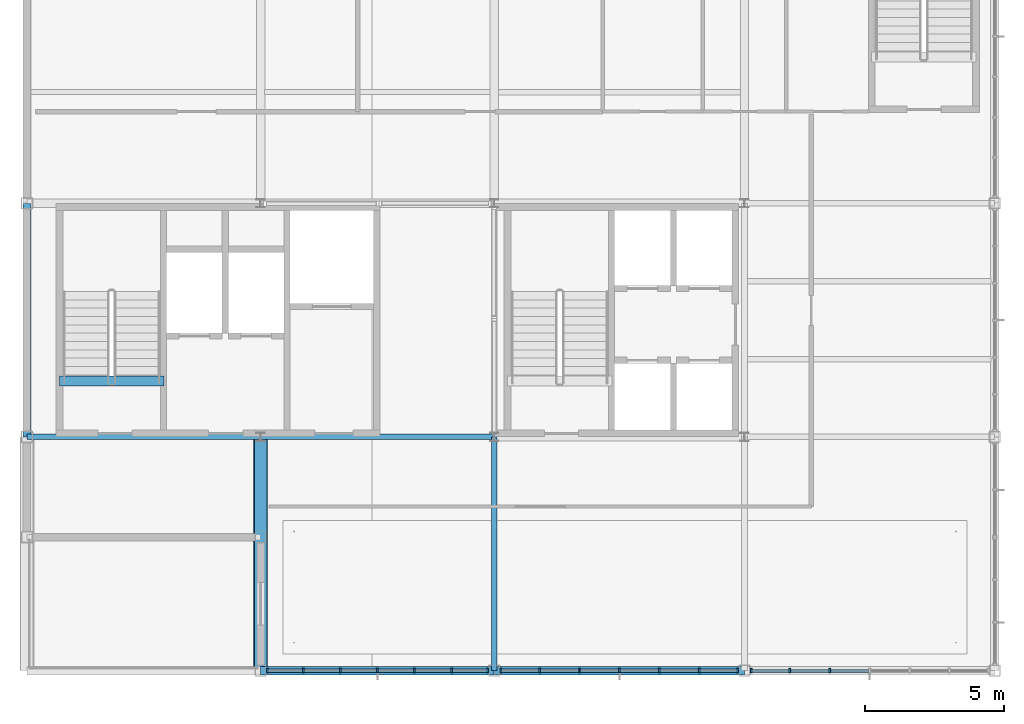
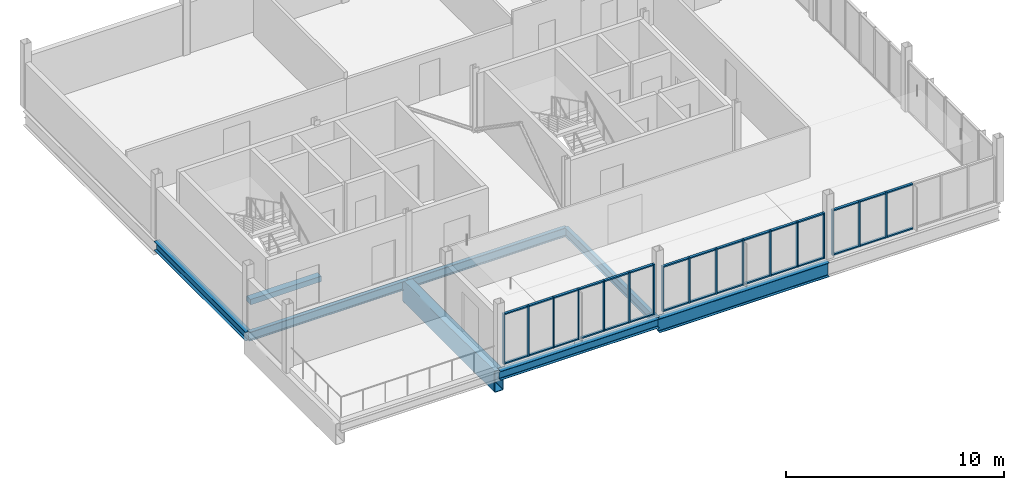
# One storey, part 4 of 17: 47 members, 8 beams, 3 elements without a shape of their own.
"""IFC4 building model written with IfcOpenShell, lengths in metres."""

from ifc_helpers import new_model, si_unit, direction, frame, origin, origin_2d, place, context, subcontext, project, spatial, rectangle, hollow_rectangle, i_section, extrude, material, layer, layer_set, material_profile, profile_set, type_object, element, aggregate, save


model = new_model("IFC4")

# Units and contexts
model_context = context("Model", 3, precision=1e-05, world=origin(), true_north=direction((0.0, 1.0)))
body_context = subcontext(model_context, "Body", "Model", "MODEL_VIEW")
ifc_project = project(units=[si_unit("LENGTHUNIT", "METRE"), si_unit("AREAUNIT", "SQUARE_METRE"), si_unit("VOLUMEUNIT", "CUBIC_METRE"), si_unit("PLANEANGLEUNIT", "RADIAN"), si_unit("MASSUNIT", "GRAM", prefix="KILO")], contexts=[model_context])

# Site, building, storey
site_placement = place(None, origin())
site = spatial("IfcSite", under=ifc_project, at=site_placement, CompositionType="ELEMENT")
building_placement = place(site_placement, origin())
building = spatial("IfcBuilding", under=site, at=building_placement, Name="Yukiwa Park Conservatory and Herbarium", CompositionType="ELEMENT")
storey_placement = place(building_placement, frame((0.0, 0.0, 57.60009765625)))
storey = spatial("IfcBuildingStorey", under=building, at=storey_placement, Name="L15", CompositionType="ELEMENT", Elevation=57.60009765625)

# Beams
ifc_material_1 = material(Name="Steel Q355D", Category="steel")
ifc_material_profile_1 = material_profile(ifc_material_1, i_section(OverallWidth=0.199951171875, OverallDepth=0.5, WebThickness=0.010009765625, FlangeThickness=0.01611328125, FilletRadius=0.02001953125, at=origin_2d()), Name="HN 500x200x10x16")
ifc_profile_set_1 = profile_set([ifc_material_profile_1], Name="Steel Q355D")
beam_type_1 = type_object("IfcBeamType", Name="BM-GRD-HN500", PredefinedType="BEAM", material=ifc_profile_set_1)
for number, where, z_axis, x_axis, name in (
    (1, (133.2060546875, 94.800048828125, -0.506103515625), (1.0, 0.0, 0.0), (0.0, 1.0, 0.0), "L15 grid beam X-6"),
    (2, (141.60595703125, 94.800048828125, -0.506103515625), (1.0, 0.0, 0.0), (0.0, 1.0, 0.0), "L15 grid beam X-7"),
    (3, (150.0, 86.406005859375, -0.506103515625), (0.0, 1.0, 0.0), (-1.0, 0.0, 0.0), "L15 grid girder Y-21"),
):
    element("IfcBeam", number, at=place(storey_placement, frame(where, z_axis=z_axis, x_axis=x_axis)), inside=storey, type_object=beam_type_1, Name=name, PredefinedType="BEAM", context=body_context, shape_type="SweptSolid", body=[
        extrude(i_section(OverallWidth=0.199951171875, OverallDepth=0.5, WebThickness=0.010009765625, FlangeThickness=0.01611328125, FilletRadius=0.02001953125, at=origin_2d()), origin(), (0.0, 0.0, 1.0), 8.387939453125),
    ])
ifc_material_2 = material(Name="Steel Q355D", Category="steel")
ifc_material_profile_2 = material_profile(ifc_material_2, i_section(OverallWidth=0.300048828125, OverallDepth=0.5, WebThickness=0.010986328125, FlangeThickness=0.01806640625, FilletRadius=0.02392578125, at=origin_2d()), Name="HM 500x300x11x18")
ifc_profile_set_2 = profile_set([ifc_material_profile_2], Name="Steel Q355D")
beam_type_2 = type_object("IfcBeamType", Name="BM-SPN-HN500", PredefinedType="SPANDREL", material=ifc_profile_set_2)
beam_1_placement = place(storey_placement, frame((141.60595703125, 86.39990234375, -0.506103515625), z_axis=(1.0, 0.0, 0.0), x_axis=(0.0, 1.0, 0.0)))
element("IfcBeam", 4, at=beam_1_placement, inside=storey, type_object=beam_type_2, Name="L15 spandrel beam X-2", PredefinedType="SPANDREL", context=body_context, shape_type="SweptSolid", body=[
    extrude(i_section(OverallWidth=0.300048828125, OverallDepth=0.5, WebThickness=0.010986328125, FlangeThickness=0.01806640625, FilletRadius=0.02392578125, at=origin_2d()), origin(), (0.0, 0.0, 1.0), 8.387939453125),
])
beam_2_placement = place(storey_placement, frame((133.199951171875, 94.805908203125, -0.506103515625), z_axis=(0.0, 1.0, 0.0), x_axis=(-1.0, 0.0, 0.0)))
element("IfcBeam", 5, at=beam_2_placement, inside=storey, type_object=beam_type_2, Name="L15 spandrel girder Y-18", PredefinedType="SPANDREL", context=body_context, shape_type="SweptSolid", body=[
    extrude(i_section(OverallWidth=0.300048828125, OverallDepth=0.5, WebThickness=0.010986328125, FlangeThickness=0.01806640625, FilletRadius=0.02392578125, at=origin_2d()), origin(), (0.0, 0.0, 1.0), 8.38818359375),
])
ifc_material_3 = material(Name="Steel Q355D", Category="steel")
ifc_material_profile_3 = material_profile(ifc_material_3, i_section(OverallWidth=0.300048828125, OverallDepth=0.7919921875, WebThickness=0.013916015625, FlangeThickness=0.02197265625, FilletRadius=0.028076171875, at=origin_2d()), Name="HN 792x300x14x22")
ifc_profile_set_3 = profile_set([ifc_material_profile_3], Name="Steel Q355D")
beam_type_3 = type_object("IfcBeamType", Name="BM-SPN-HN600", PredefinedType="SPANDREL", material=ifc_profile_set_3)
beam_3_placement = place(storey_placement, frame((150.006103515625, 86.39990234375, -0.652099609375), z_axis=(1.0, 0.0, 0.0), x_axis=(0.0, 1.0, 0.0)))
element("IfcBeam", 6, at=beam_3_placement, inside=storey, type_object=beam_type_3, Name="L15 spandrel beam X-3", PredefinedType="SPANDREL", context=body_context, shape_type="SweptSolid", body=[
    extrude(i_section(OverallWidth=0.300048828125, OverallDepth=0.7919921875, WebThickness=0.013916015625, FlangeThickness=0.02197265625, FilletRadius=0.028076171875, at=origin_2d()), origin(), (0.0, 0.0, 1.0), 8.98779296875),
])
ifc_material_4 = material(Name="Concrete C40", Category="concrete")
ifc_material_profile_4 = material_profile(ifc_material_4, rectangle(XDim=0.35009765625, YDim=0.300048828125, at=origin_2d()), Name="RC 350x300")
ifc_profile_set_4 = profile_set([ifc_material_profile_4], Name="Concrete C40")
beam_type_4 = type_object("IfcBeamType", Name="BM-STAIR-TRIM", PredefinedType="BEAM", material=ifc_profile_set_4)
beam_4_placement = place(storey_placement, frame((134.3701171875, 96.81005859375, -0.150146484375), z_axis=(1.0, 0.0, 0.0), x_axis=(0.0, 1.0, 0.0)))
element("IfcBeam", 7, at=beam_4_placement, inside=storey, type_object=beam_type_4, Name="Stair ST-T1 L15 landing trimmer beam", PredefinedType="BEAM", context=body_context, shape_type="SweptSolid", body=[
    extrude(rectangle(XDim=0.35009765625, YDim=0.300048828125, at=origin_2d()), origin(), (0.0, 0.0, 1.0), 3.75),
])
ifc_material_5 = material(Name="Steel Q355D", Category="steel")
ifc_material_profile_5 = material_profile(ifc_material_5, hollow_rectangle(XDim=0.5, YDim=1.199951171875, WallThickness=0.031982421875, InnerFilletRadius=0.031982421875, OuterFilletRadius=0.06396484375, at=origin_2d()), Name="BOX 1200x500x32")
ifc_profile_set_5 = profile_set([ifc_material_profile_5], Name="Steel Q355D")
beam_type_5 = type_object("IfcBeamType", Name="BM-TG2-1200", PredefinedType="BEAM", material=ifc_profile_set_5)
beam_5_placement = place(storey_placement, frame((141.60009765625, 86.406005859375, -0.856201171875), z_axis=(0.0, 1.0, 0.0), x_axis=(-1.0, 0.0, 0.0)))
element("IfcBeam", 8, at=beam_5_placement, inside=storey, type_object=beam_type_5, Name="Transfer girder TG-2.L15.2 at L15 observation terrace", PredefinedType="BEAM", context=body_context, shape_type="SweptSolid", body=[
    extrude(hollow_rectangle(XDim=0.5, YDim=1.199951171875, WallThickness=0.031982421875, InnerFilletRadius=0.031982421875, OuterFilletRadius=0.06396484375, at=origin_2d()), origin(), (0.0, 0.0, 1.0), 8.387939453125),
])

# Curtain wall, members
ifc_material_6 = material(Name="Triple Low-E Insulated Glass", Category="glass")
ifc_layer = layer(ifc_material_6, 0.2119140625)
ifc_layer_set = layer_set([ifc_layer], Name="Triple Low-E Insulated Glass")
curtain_wall_type = type_object("IfcCurtainWallType", Name="CW-TOWER-SKY-1400", PredefinedType="NOTDEFINED", material=ifc_layer_set)
curtain_wall_1_placement = place(storey_placement, origin())
curtain_wall_1 = element("IfcCurtainWall", 9, at=curtain_wall_1_placement, inside=storey, type_object=curtain_wall_type, Name="L15 unitised curtain wall CW-L15-145", PredefinedType="NOTDEFINED")
ifc_material_7 = material(Name="Anodised Aluminium", Category="aluminium")
member_type_1 = type_object("IfcMemberType", Name="MB-CW-MUL-70X150", PredefinedType="MULLION", material=ifc_material_7)
member_1_placement = place(storey_placement, frame((141.8349609375, 86.39990234375, -0.000244140625), z_axis=(0.0, 0.0, 1.0), x_axis=(1.0, 0.0, 0.0)))
member_1 = element("IfcMember", 10, at=member_1_placement, type_object=member_type_1, Name="CW-L15-145 mullion 1", PredefinedType="MULLION", context=body_context, shape_type="SweptSolid", body=[
    extrude(rectangle(XDim=0.070068359375, YDim=0.14990234375, at=origin_2d()), origin(), (0.0, 0.0, 1.0), 2.830078125),
])
member_2_placement = place(storey_placement, frame((143.13330078125, 86.39990234375, -0.000244140625), z_axis=(0.0, 0.0, 1.0), x_axis=(1.0, 0.0, 0.0)))
member_2 = element("IfcMember", 11, at=member_2_placement, type_object=member_type_1, Name="CW-L15-145 mullion 2", PredefinedType="MULLION", context=body_context, shape_type="SweptSolid", body=[
    extrude(rectangle(XDim=0.070068359375, YDim=0.14990234375, at=origin_2d()), origin(), (0.0, 0.0, 1.0), 2.830078125),
])
member_3_placement = place(storey_placement, frame((144.466796875, 86.39990234375, -0.000244140625), z_axis=(0.0, 0.0, 1.0), x_axis=(1.0, 0.0, 0.0)))
member_3 = element("IfcMember", 12, at=member_3_placement, type_object=member_type_1, Name="CW-L15-145 mullion 3", PredefinedType="MULLION", context=body_context, shape_type="SweptSolid", body=[
    extrude(rectangle(XDim=0.070068359375, YDim=0.14990234375, at=origin_2d()), origin(), (0.0, 0.0, 1.0), 2.830078125),
])
member_4_placement = place(storey_placement, frame((145.800048828125, 86.39990234375, -0.000244140625), z_axis=(0.0, 0.0, 1.0), x_axis=(1.0, 0.0, 0.0)))
member_4 = element("IfcMember", 13, at=member_4_placement, type_object=member_type_1, Name="CW-L15-145 mullion 4", PredefinedType="MULLION", context=body_context, shape_type="SweptSolid", body=[
    extrude(rectangle(XDim=0.070068359375, YDim=0.14990234375, at=origin_2d()), origin(), (0.0, 0.0, 1.0), 2.830078125),
])
member_5_placement = place(storey_placement, frame((147.13330078125, 86.39990234375, -0.000244140625), z_axis=(0.0, 0.0, 1.0), x_axis=(1.0, 0.0, 0.0)))
member_5 = element("IfcMember", 14, at=member_5_placement, type_object=member_type_1, Name="CW-L15-145 mullion 5", PredefinedType="MULLION", context=body_context, shape_type="SweptSolid", body=[
    extrude(rectangle(XDim=0.070068359375, YDim=0.14990234375, at=origin_2d()), origin(), (0.0, 0.0, 1.0), 2.830078125),
])
member_6_placement = place(storey_placement, frame((148.466796875, 86.39990234375, -0.000244140625), z_axis=(0.0, 0.0, 1.0), x_axis=(1.0, 0.0, 0.0)))
member_6 = element("IfcMember", 15, at=member_6_placement, type_object=member_type_1, Name="CW-L15-145 mullion 6", PredefinedType="MULLION", context=body_context, shape_type="SweptSolid", body=[
    extrude(rectangle(XDim=0.070068359375, YDim=0.14990234375, at=origin_2d()), origin(), (0.0, 0.0, 1.0), 2.830078125),
])
member_7_placement = place(storey_placement, frame((149.764892578125, 86.39990234375, -0.000244140625), z_axis=(0.0, 0.0, 1.0), x_axis=(1.0, 0.0, 0.0)))
member_7 = element("IfcMember", 16, at=member_7_placement, type_object=member_type_1, Name="CW-L15-145 mullion 7", PredefinedType="MULLION", context=body_context, shape_type="SweptSolid", body=[
    extrude(rectangle(XDim=0.070068359375, YDim=0.14990234375, at=origin_2d()), origin(), (0.0, 0.0, 1.0), 2.830078125),
])

curtain_wall_2_placement = place(storey_placement, origin())
curtain_wall_2 = element("IfcCurtainWall", 17, at=curtain_wall_2_placement, inside=storey, type_object=curtain_wall_type, Name="L15 unitised curtain wall CW-L15-146", PredefinedType="NOTDEFINED")
member_8_placement = place(storey_placement, frame((150.235107421875, 86.39990234375, -0.000244140625), z_axis=(0.0, 0.0, 1.0), x_axis=(1.0, 0.0, 0.0)))
member_8 = element("IfcMember", 18, at=member_8_placement, type_object=member_type_1, Name="CW-L15-146 mullion 1", PredefinedType="MULLION", context=body_context, shape_type="SweptSolid", body=[
    extrude(rectangle(XDim=0.070068359375, YDim=0.14990234375, at=origin_2d()), origin(), (0.0, 0.0, 1.0), 2.5380859375),
])
member_9_placement = place(storey_placement, frame((151.63330078125, 86.39990234375, -0.000244140625), z_axis=(0.0, 0.0, 1.0), x_axis=(1.0, 0.0, 0.0)))
member_9 = element("IfcMember", 19, at=member_9_placement, type_object=member_type_1, Name="CW-L15-146 mullion 2", PredefinedType="MULLION", context=body_context, shape_type="SweptSolid", body=[
    extrude(rectangle(XDim=0.070068359375, YDim=0.14990234375, at=origin_2d()), origin(), (0.0, 0.0, 1.0), 2.5380859375),
])
member_10_placement = place(storey_placement, frame((153.066650390625, 86.39990234375, -0.000244140625), z_axis=(0.0, 0.0, 1.0), x_axis=(1.0, 0.0, 0.0)))
member_10 = element("IfcMember", 20, at=member_10_placement, type_object=member_type_1, Name="CW-L15-146 mullion 3", PredefinedType="MULLION", context=body_context, shape_type="SweptSolid", body=[
    extrude(rectangle(XDim=0.070068359375, YDim=0.14990234375, at=origin_2d()), origin(), (0.0, 0.0, 1.0), 2.5380859375),
])
member_11_placement = place(storey_placement, frame((154.5, 86.39990234375, -0.000244140625), z_axis=(0.0, 0.0, 1.0), x_axis=(1.0, 0.0, 0.0)))
member_11 = element("IfcMember", 21, at=member_11_placement, type_object=member_type_1, Name="CW-L15-146 mullion 4", PredefinedType="MULLION", context=body_context, shape_type="SweptSolid", body=[
    extrude(rectangle(XDim=0.070068359375, YDim=0.14990234375, at=origin_2d()), origin(), (0.0, 0.0, 1.0), 2.5380859375),
])
member_12_placement = place(storey_placement, frame((155.933349609375, 86.39990234375, -0.000244140625), z_axis=(0.0, 0.0, 1.0), x_axis=(1.0, 0.0, 0.0)))
member_12 = element("IfcMember", 22, at=member_12_placement, type_object=member_type_1, Name="CW-L15-146 mullion 5", PredefinedType="MULLION", context=body_context, shape_type="SweptSolid", body=[
    extrude(rectangle(XDim=0.070068359375, YDim=0.14990234375, at=origin_2d()), origin(), (0.0, 0.0, 1.0), 2.5380859375),
])
member_13_placement = place(storey_placement, frame((157.36669921875, 86.39990234375, -0.000244140625), z_axis=(0.0, 0.0, 1.0), x_axis=(1.0, 0.0, 0.0)))
member_13 = element("IfcMember", 23, at=member_13_placement, type_object=member_type_1, Name="CW-L15-146 mullion 6", PredefinedType="MULLION", context=body_context, shape_type="SweptSolid", body=[
    extrude(rectangle(XDim=0.070068359375, YDim=0.14990234375, at=origin_2d()), origin(), (0.0, 0.0, 1.0), 2.5380859375),
])
member_14_placement = place(storey_placement, frame((158.764892578125, 86.39990234375, -0.000244140625), z_axis=(0.0, 0.0, 1.0), x_axis=(1.0, 0.0, 0.0)))
member_14 = element("IfcMember", 24, at=member_14_placement, type_object=member_type_1, Name="CW-L15-146 mullion 7", PredefinedType="MULLION", context=body_context, shape_type="SweptSolid", body=[
    extrude(rectangle(XDim=0.070068359375, YDim=0.14990234375, at=origin_2d()), origin(), (0.0, 0.0, 1.0), 2.5380859375),
])

curtain_wall_3_placement = place(storey_placement, origin())
curtain_wall_3 = element("IfcCurtainWall", 25, at=curtain_wall_3_placement, inside=storey, type_object=curtain_wall_type, Name="L15 unitised curtain wall CW-L15-147", PredefinedType="NOTDEFINED")
member_15_placement = place(storey_placement, frame((159.235107421875, 86.39990234375, -0.000244140625), z_axis=(0.0, 0.0, 1.0), x_axis=(1.0, 0.0, 0.0)))
member_15 = element("IfcMember", 26, at=member_15_placement, type_object=member_type_1, Name="CW-L15-147 mullion 1", PredefinedType="MULLION", context=body_context, shape_type="SweptSolid", body=[
    extrude(rectangle(XDim=0.070068359375, YDim=0.14990234375, at=origin_2d()), origin(), (0.0, 0.0, 1.0), 2.5380859375),
])
member_16_placement = place(storey_placement, frame((160.63330078125, 86.39990234375, -0.000244140625), z_axis=(0.0, 0.0, 1.0), x_axis=(1.0, 0.0, 0.0)))
member_16 = element("IfcMember", 27, at=member_16_placement, type_object=member_type_1, Name="CW-L15-147 mullion 2", PredefinedType="MULLION", context=body_context, shape_type="SweptSolid", body=[
    extrude(rectangle(XDim=0.070068359375, YDim=0.14990234375, at=origin_2d()), origin(), (0.0, 0.0, 1.0), 2.5380859375),
])
member_17_placement = place(storey_placement, frame((162.066650390625, 86.39990234375, -0.000244140625), z_axis=(0.0, 0.0, 1.0), x_axis=(1.0, 0.0, 0.0)))
member_17 = element("IfcMember", 28, at=member_17_placement, type_object=member_type_1, Name="CW-L15-147 mullion 3", PredefinedType="MULLION", context=body_context, shape_type="SweptSolid", body=[
    extrude(rectangle(XDim=0.070068359375, YDim=0.14990234375, at=origin_2d()), origin(), (0.0, 0.0, 1.0), 2.5380859375),
])

# Member
ifc_material_8 = material(Name="Anodised Aluminium", Category="aluminium")
member_type_2 = type_object("IfcMemberType", Name="MB-CW-TRN-70X130", PredefinedType="USERDEFINED", material=ifc_material_8)
member_18_placement = place(storey_placement, frame((142.466796875, 86.39990234375, 0.0), z_axis=(0.0, 0.0, 1.0), x_axis=(1.0, 0.0, 0.0)))
member_18 = element("IfcMember", 29, at=member_18_placement, type_object=member_type_2, Name="CW-L15-145 transom 1.1", ObjectType="TRANSOM", PredefinedType="USERDEFINED", context=body_context, shape_type="SweptSolid", body=[
    extrude(rectangle(XDim=1.26318359375, YDim=0.1298828125, at=origin_2d()), origin(), (0.0, 0.0, 1.0), 0.070068359375),
])

member_19_placement = place(storey_placement, frame((142.466796875, 86.39990234375, 2.759765625), z_axis=(0.0, 0.0, 1.0), x_axis=(1.0, 0.0, 0.0)))
member_19 = element("IfcMember", 30, at=member_19_placement, type_object=member_type_2, Name="CW-L15-145 transom 1.2", ObjectType="TRANSOM", PredefinedType="USERDEFINED", context=body_context, shape_type="SweptSolid", body=[
    extrude(rectangle(XDim=1.26318359375, YDim=0.1298828125, at=origin_2d()), origin(), (0.0, 0.0, 1.0), 0.070068359375),
])

member_20_placement = place(storey_placement, frame((143.800048828125, 86.39990234375, 0.0), z_axis=(0.0, 0.0, 1.0), x_axis=(1.0, 0.0, 0.0)))
member_20 = element("IfcMember", 31, at=member_20_placement, type_object=member_type_2, Name="CW-L15-145 transom 2.1", ObjectType="TRANSOM", PredefinedType="USERDEFINED", context=body_context, shape_type="SweptSolid", body=[
    extrude(rectangle(XDim=1.26318359375, YDim=0.1298828125, at=origin_2d()), origin(), (0.0, 0.0, 1.0), 0.070068359375),
])

member_21_placement = place(storey_placement, frame((143.800048828125, 86.39990234375, 2.759765625), z_axis=(0.0, 0.0, 1.0), x_axis=(1.0, 0.0, 0.0)))
member_21 = element("IfcMember", 32, at=member_21_placement, type_object=member_type_2, Name="CW-L15-145 transom 2.2", ObjectType="TRANSOM", PredefinedType="USERDEFINED", context=body_context, shape_type="SweptSolid", body=[
    extrude(rectangle(XDim=1.26318359375, YDim=0.1298828125, at=origin_2d()), origin(), (0.0, 0.0, 1.0), 0.070068359375),
])

member_22_placement = place(storey_placement, frame((145.13330078125, 86.39990234375, 0.0), z_axis=(0.0, 0.0, 1.0), x_axis=(1.0, 0.0, 0.0)))
member_22 = element("IfcMember", 33, at=member_22_placement, type_object=member_type_2, Name="CW-L15-145 transom 3.1", ObjectType="TRANSOM", PredefinedType="USERDEFINED", context=body_context, shape_type="SweptSolid", body=[
    extrude(rectangle(XDim=1.26318359375, YDim=0.1298828125, at=origin_2d()), origin(), (0.0, 0.0, 1.0), 0.070068359375),
])

member_23_placement = place(storey_placement, frame((145.13330078125, 86.39990234375, 2.759765625), z_axis=(0.0, 0.0, 1.0), x_axis=(1.0, 0.0, 0.0)))
member_23 = element("IfcMember", 34, at=member_23_placement, type_object=member_type_2, Name="CW-L15-145 transom 3.2", ObjectType="TRANSOM", PredefinedType="USERDEFINED", context=body_context, shape_type="SweptSolid", body=[
    extrude(rectangle(XDim=1.26318359375, YDim=0.1298828125, at=origin_2d()), origin(), (0.0, 0.0, 1.0), 0.070068359375),
])

member_24_placement = place(storey_placement, frame((146.466796875, 86.39990234375, 0.0), z_axis=(0.0, 0.0, 1.0), x_axis=(1.0, 0.0, 0.0)))
member_24 = element("IfcMember", 35, at=member_24_placement, type_object=member_type_2, Name="CW-L15-145 transom 4.1", ObjectType="TRANSOM", PredefinedType="USERDEFINED", context=body_context, shape_type="SweptSolid", body=[
    extrude(rectangle(XDim=1.26318359375, YDim=0.1298828125, at=origin_2d()), origin(), (0.0, 0.0, 1.0), 0.070068359375),
])

member_25_placement = place(storey_placement, frame((146.466796875, 86.39990234375, 2.759765625), z_axis=(0.0, 0.0, 1.0), x_axis=(1.0, 0.0, 0.0)))
member_25 = element("IfcMember", 36, at=member_25_placement, type_object=member_type_2, Name="CW-L15-145 transom 4.2", ObjectType="TRANSOM", PredefinedType="USERDEFINED", context=body_context, shape_type="SweptSolid", body=[
    extrude(rectangle(XDim=1.26318359375, YDim=0.1298828125, at=origin_2d()), origin(), (0.0, 0.0, 1.0), 0.070068359375),
])

member_26_placement = place(storey_placement, frame((147.800048828125, 86.39990234375, 0.0), z_axis=(0.0, 0.0, 1.0), x_axis=(1.0, 0.0, 0.0)))
member_26 = element("IfcMember", 37, at=member_26_placement, type_object=member_type_2, Name="CW-L15-145 transom 5.1", ObjectType="TRANSOM", PredefinedType="USERDEFINED", context=body_context, shape_type="SweptSolid", body=[
    extrude(rectangle(XDim=1.26318359375, YDim=0.1298828125, at=origin_2d()), origin(), (0.0, 0.0, 1.0), 0.070068359375),
])

member_27_placement = place(storey_placement, frame((147.800048828125, 86.39990234375, 2.759765625), z_axis=(0.0, 0.0, 1.0), x_axis=(1.0, 0.0, 0.0)))
member_27 = element("IfcMember", 38, at=member_27_placement, type_object=member_type_2, Name="CW-L15-145 transom 5.2", ObjectType="TRANSOM", PredefinedType="USERDEFINED", context=body_context, shape_type="SweptSolid", body=[
    extrude(rectangle(XDim=1.26318359375, YDim=0.1298828125, at=origin_2d()), origin(), (0.0, 0.0, 1.0), 0.070068359375),
])

member_28_placement = place(storey_placement, frame((149.13330078125, 86.39990234375, 0.0), z_axis=(0.0, 0.0, 1.0), x_axis=(1.0, 0.0, 0.0)))
member_28 = element("IfcMember", 39, at=member_28_placement, type_object=member_type_2, Name="CW-L15-145 transom 6.1", ObjectType="TRANSOM", PredefinedType="USERDEFINED", context=body_context, shape_type="SweptSolid", body=[
    extrude(rectangle(XDim=1.26318359375, YDim=0.1298828125, at=origin_2d()), origin(), (0.0, 0.0, 1.0), 0.070068359375),
])

member_29_placement = place(storey_placement, frame((149.13330078125, 86.39990234375, 2.759765625), z_axis=(0.0, 0.0, 1.0), x_axis=(1.0, 0.0, 0.0)))
member_29 = element("IfcMember", 40, at=member_29_placement, type_object=member_type_2, Name="CW-L15-145 transom 6.2", ObjectType="TRANSOM", PredefinedType="USERDEFINED", context=body_context, shape_type="SweptSolid", body=[
    extrude(rectangle(XDim=1.26318359375, YDim=0.1298828125, at=origin_2d()), origin(), (0.0, 0.0, 1.0), 0.070068359375),
])

aggregate(curtain_wall_1, [member_1, member_2, member_3, member_4, member_5, member_6, member_7, member_18, member_19, member_20, member_21, member_22, member_23, member_24, member_25, member_26, member_27, member_28, member_29])

member_30_placement = place(storey_placement, frame((150.916748046875, 86.39990234375, 0.0), z_axis=(0.0, 0.0, 1.0), x_axis=(1.0, 0.0, 0.0)))
member_30 = element("IfcMember", 41, at=member_30_placement, type_object=member_type_2, Name="CW-L15-146 transom 1.1", ObjectType="TRANSOM", PredefinedType="USERDEFINED", context=body_context, shape_type="SweptSolid", body=[
    extrude(rectangle(XDim=1.36328125, YDim=0.1298828125, at=origin_2d()), origin(), (0.0, 0.0, 1.0), 0.070068359375),
])

member_31_placement = place(storey_placement, frame((150.916748046875, 86.39990234375, 2.4677734375), z_axis=(0.0, 0.0, 1.0), x_axis=(1.0, 0.0, 0.0)))
member_31 = element("IfcMember", 42, at=member_31_placement, type_object=member_type_2, Name="CW-L15-146 transom 1.2", ObjectType="TRANSOM", PredefinedType="USERDEFINED", context=body_context, shape_type="SweptSolid", body=[
    extrude(rectangle(XDim=1.36328125, YDim=0.1298828125, at=origin_2d()), origin(), (0.0, 0.0, 1.0), 0.070068359375),
])

member_32_placement = place(storey_placement, frame((152.35009765625, 86.39990234375, 0.0), z_axis=(0.0, 0.0, 1.0), x_axis=(1.0, 0.0, 0.0)))
member_32 = element("IfcMember", 43, at=member_32_placement, type_object=member_type_2, Name="CW-L15-146 transom 2.1", ObjectType="TRANSOM", PredefinedType="USERDEFINED", context=body_context, shape_type="SweptSolid", body=[
    extrude(rectangle(XDim=1.36328125, YDim=0.1298828125, at=origin_2d()), origin(), (0.0, 0.0, 1.0), 0.070068359375),
])

member_33_placement = place(storey_placement, frame((152.35009765625, 86.39990234375, 2.4677734375), z_axis=(0.0, 0.0, 1.0), x_axis=(1.0, 0.0, 0.0)))
member_33 = element("IfcMember", 44, at=member_33_placement, type_object=member_type_2, Name="CW-L15-146 transom 2.2", ObjectType="TRANSOM", PredefinedType="USERDEFINED", context=body_context, shape_type="SweptSolid", body=[
    extrude(rectangle(XDim=1.36328125, YDim=0.1298828125, at=origin_2d()), origin(), (0.0, 0.0, 1.0), 0.070068359375),
])

member_34_placement = place(storey_placement, frame((153.783203125, 86.39990234375, 0.0), z_axis=(0.0, 0.0, 1.0), x_axis=(1.0, 0.0, 0.0)))
member_34 = element("IfcMember", 45, at=member_34_placement, type_object=member_type_2, Name="CW-L15-146 transom 3.1", ObjectType="TRANSOM", PredefinedType="USERDEFINED", context=body_context, shape_type="SweptSolid", body=[
    extrude(rectangle(XDim=1.36328125, YDim=0.1298828125, at=origin_2d()), origin(), (0.0, 0.0, 1.0), 0.070068359375),
])

member_35_placement = place(storey_placement, frame((153.783203125, 86.39990234375, 2.4677734375), z_axis=(0.0, 0.0, 1.0), x_axis=(1.0, 0.0, 0.0)))
member_35 = element("IfcMember", 46, at=member_35_placement, type_object=member_type_2, Name="CW-L15-146 transom 3.2", ObjectType="TRANSOM", PredefinedType="USERDEFINED", context=body_context, shape_type="SweptSolid", body=[
    extrude(rectangle(XDim=1.36328125, YDim=0.1298828125, at=origin_2d()), origin(), (0.0, 0.0, 1.0), 0.070068359375),
])

member_36_placement = place(storey_placement, frame((155.216796875, 86.39990234375, 0.0), z_axis=(0.0, 0.0, 1.0), x_axis=(1.0, 0.0, 0.0)))
member_36 = element("IfcMember", 47, at=member_36_placement, type_object=member_type_2, Name="CW-L15-146 transom 4.1", ObjectType="TRANSOM", PredefinedType="USERDEFINED", context=body_context, shape_type="SweptSolid", body=[
    extrude(rectangle(XDim=1.36328125, YDim=0.1298828125, at=origin_2d()), origin(), (0.0, 0.0, 1.0), 0.070068359375),
])

member_37_placement = place(storey_placement, frame((155.216796875, 86.39990234375, 2.4677734375), z_axis=(0.0, 0.0, 1.0), x_axis=(1.0, 0.0, 0.0)))
member_37 = element("IfcMember", 48, at=member_37_placement, type_object=member_type_2, Name="CW-L15-146 transom 4.2", ObjectType="TRANSOM", PredefinedType="USERDEFINED", context=body_context, shape_type="SweptSolid", body=[
    extrude(rectangle(XDim=1.36328125, YDim=0.1298828125, at=origin_2d()), origin(), (0.0, 0.0, 1.0), 0.070068359375),
])

member_38_placement = place(storey_placement, frame((156.64990234375, 86.39990234375, 0.0), z_axis=(0.0, 0.0, 1.0), x_axis=(1.0, 0.0, 0.0)))
member_38 = element("IfcMember", 49, at=member_38_placement, type_object=member_type_2, Name="CW-L15-146 transom 5.1", ObjectType="TRANSOM", PredefinedType="USERDEFINED", context=body_context, shape_type="SweptSolid", body=[
    extrude(rectangle(XDim=1.36328125, YDim=0.1298828125, at=origin_2d()), origin(), (0.0, 0.0, 1.0), 0.070068359375),
])

member_39_placement = place(storey_placement, frame((156.64990234375, 86.39990234375, 2.4677734375), z_axis=(0.0, 0.0, 1.0), x_axis=(1.0, 0.0, 0.0)))
member_39 = element("IfcMember", 50, at=member_39_placement, type_object=member_type_2, Name="CW-L15-146 transom 5.2", ObjectType="TRANSOM", PredefinedType="USERDEFINED", context=body_context, shape_type="SweptSolid", body=[
    extrude(rectangle(XDim=1.36328125, YDim=0.1298828125, at=origin_2d()), origin(), (0.0, 0.0, 1.0), 0.070068359375),
])

member_40_placement = place(storey_placement, frame((158.083251953125, 86.39990234375, 0.0), z_axis=(0.0, 0.0, 1.0), x_axis=(1.0, 0.0, 0.0)))
member_40 = element("IfcMember", 51, at=member_40_placement, type_object=member_type_2, Name="CW-L15-146 transom 6.1", ObjectType="TRANSOM", PredefinedType="USERDEFINED", context=body_context, shape_type="SweptSolid", body=[
    extrude(rectangle(XDim=1.36328125, YDim=0.1298828125, at=origin_2d()), origin(), (0.0, 0.0, 1.0), 0.070068359375),
])

member_41_placement = place(storey_placement, frame((158.083251953125, 86.39990234375, 2.4677734375), z_axis=(0.0, 0.0, 1.0), x_axis=(1.0, 0.0, 0.0)))
member_41 = element("IfcMember", 52, at=member_41_placement, type_object=member_type_2, Name="CW-L15-146 transom 6.2", ObjectType="TRANSOM", PredefinedType="USERDEFINED", context=body_context, shape_type="SweptSolid", body=[
    extrude(rectangle(XDim=1.36328125, YDim=0.1298828125, at=origin_2d()), origin(), (0.0, 0.0, 1.0), 0.070068359375),
])

aggregate(curtain_wall_2, [member_8, member_9, member_10, member_11, member_12, member_13, member_14, member_30, member_31, member_32, member_33, member_34, member_35, member_36, member_37, member_38, member_39, member_40, member_41])

member_42_placement = place(storey_placement, frame((159.916748046875, 86.39990234375, 0.0), z_axis=(0.0, 0.0, 1.0), x_axis=(1.0, 0.0, 0.0)))
member_42 = element("IfcMember", 53, at=member_42_placement, type_object=member_type_2, Name="CW-L15-147 transom 1.1", ObjectType="TRANSOM", PredefinedType="USERDEFINED", context=body_context, shape_type="SweptSolid", body=[
    extrude(rectangle(XDim=1.36328125, YDim=0.1298828125, at=origin_2d()), origin(), (0.0, 0.0, 1.0), 0.070068359375),
])

member_43_placement = place(storey_placement, frame((159.916748046875, 86.39990234375, 2.4677734375), z_axis=(0.0, 0.0, 1.0), x_axis=(1.0, 0.0, 0.0)))
member_43 = element("IfcMember", 54, at=member_43_placement, type_object=member_type_2, Name="CW-L15-147 transom 1.2", ObjectType="TRANSOM", PredefinedType="USERDEFINED", context=body_context, shape_type="SweptSolid", body=[
    extrude(rectangle(XDim=1.36328125, YDim=0.1298828125, at=origin_2d()), origin(), (0.0, 0.0, 1.0), 0.070068359375),
])

member_44_placement = place(storey_placement, frame((161.35009765625, 86.39990234375, 0.0), z_axis=(0.0, 0.0, 1.0), x_axis=(1.0, 0.0, 0.0)))
member_44 = element("IfcMember", 55, at=member_44_placement, type_object=member_type_2, Name="CW-L15-147 transom 2.1", ObjectType="TRANSOM", PredefinedType="USERDEFINED", context=body_context, shape_type="SweptSolid", body=[
    extrude(rectangle(XDim=1.36328125, YDim=0.1298828125, at=origin_2d()), origin(), (0.0, 0.0, 1.0), 0.070068359375),
])

member_45_placement = place(storey_placement, frame((161.35009765625, 86.39990234375, 2.4677734375), z_axis=(0.0, 0.0, 1.0), x_axis=(1.0, 0.0, 0.0)))
member_45 = element("IfcMember", 56, at=member_45_placement, type_object=member_type_2, Name="CW-L15-147 transom 2.2", ObjectType="TRANSOM", PredefinedType="USERDEFINED", context=body_context, shape_type="SweptSolid", body=[
    extrude(rectangle(XDim=1.36328125, YDim=0.1298828125, at=origin_2d()), origin(), (0.0, 0.0, 1.0), 0.070068359375),
])

member_46_placement = place(storey_placement, frame((162.783203125, 86.39990234375, 0.0), z_axis=(0.0, 0.0, 1.0), x_axis=(1.0, 0.0, 0.0)))
member_46 = element("IfcMember", 57, at=member_46_placement, type_object=member_type_2, Name="CW-L15-147 transom 3.1", ObjectType="TRANSOM", PredefinedType="USERDEFINED", context=body_context, shape_type="SweptSolid", body=[
    extrude(rectangle(XDim=1.36328125, YDim=0.1298828125, at=origin_2d()), origin(), (0.0, 0.0, 1.0), 0.070068359375),
])

member_47_placement = place(storey_placement, frame((162.783203125, 86.39990234375, 2.4677734375), z_axis=(0.0, 0.0, 1.0), x_axis=(1.0, 0.0, 0.0)))
member_47 = element("IfcMember", 58, at=member_47_placement, type_object=member_type_2, Name="CW-L15-147 transom 3.2", ObjectType="TRANSOM", PredefinedType="USERDEFINED", context=body_context, shape_type="SweptSolid", body=[
    extrude(rectangle(XDim=1.36328125, YDim=0.1298828125, at=origin_2d()), origin(), (0.0, 0.0, 1.0), 0.070068359375),
])

aggregate(curtain_wall_3, [member_15, member_16, member_17, member_42, member_43, member_44, member_45, member_46, member_47])

save(model, "model.ifc")
